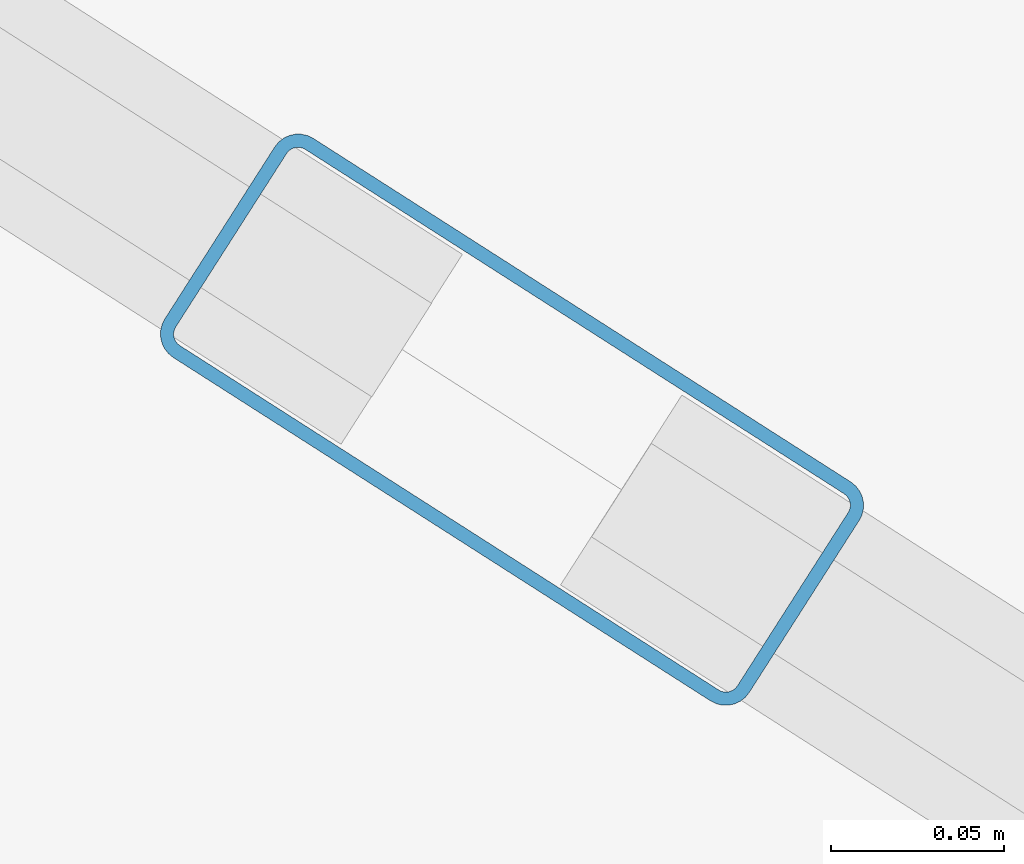
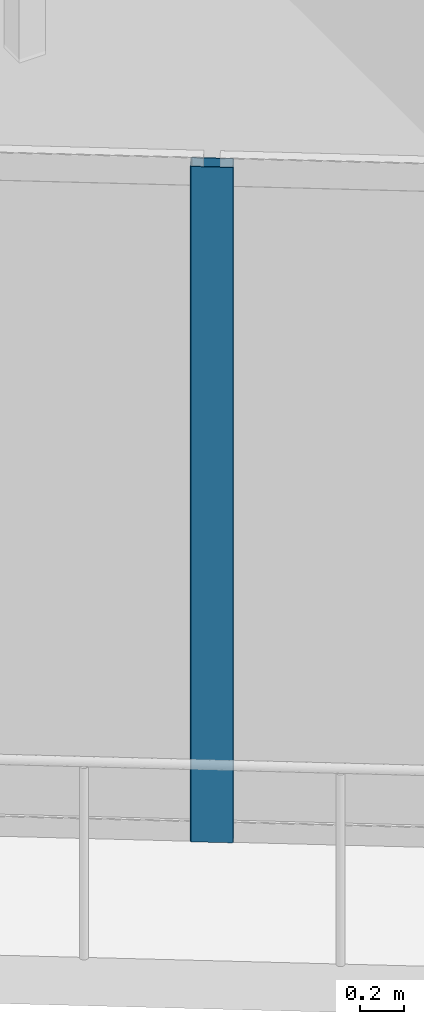
# One storey, part 5 of 40: 1 member, 1 element without a shape of its own.
"""IFC4 building model written with IfcOpenShell, lengths in metres."""

from ifc_helpers import new_model, si_unit, direction, frame, origin, origin_2d, place, context, subcontext, project, spatial, hollow_rectangle, extrude, material, layer, layer_set, material_profile, profile_set, type_object, element, aggregate, save


model = new_model("IFC4")

# Units and contexts
model_context = context("Model", 3, precision=1e-05, world=origin(), true_north=direction((0.0, 1.0)))
body_context = subcontext(model_context, "Body", "Model", "MODEL_VIEW")
ifc_project = project(units=[si_unit("LENGTHUNIT", "METRE"), si_unit("AREAUNIT", "SQUARE_METRE"), si_unit("VOLUMEUNIT", "CUBIC_METRE"), si_unit("PLANEANGLEUNIT", "RADIAN"), si_unit("MASSUNIT", "GRAM", prefix="KILO")], contexts=[model_context])

# Site, building, storey
site_placement = place(None, origin())
site = spatial("IfcSite", under=ifc_project, at=site_placement, CompositionType="ELEMENT")
building_placement = place(site_placement, origin())
building = spatial("IfcBuilding", under=site, at=building_placement, Name="Qorvath Tower", CompositionType="ELEMENT")
storey_placement = place(building_placement, frame((0.0, 0.0, 225.300048828125)))
storey = spatial("IfcBuildingStorey", under=building, at=storey_placement, Name="L52", CompositionType="ELEMENT", Elevation=225.300048828125)

# Curtain wall, member
ifc_material_1 = material(Name="Anodised aluminium and triple low-E glass", Category="aluminium")
ifc_layer = layer(ifc_material_1, 0.179931640625)
ifc_layer_set = layer_set([ifc_layer], Name="CW-SYS-5")
curtain_wall_type = type_object("IfcCurtainWallType", Name="CW-SYS-5", PredefinedType="NOTDEFINED", material=ifc_layer_set)
curtain_wall_placement = place(storey_placement, origin())
curtain_wall = element("IfcCurtainWall", 1, at=curtain_wall_placement, inside=storey, type_object=curtain_wall_type, Name="Curtain Wall CW-5 CW-T-L52-4.1", PredefinedType="NOTDEFINED")
ifc_material_2 = material(Name="Anodised aluminium 6063-T6", Category="aluminium")
ifc_material_profile = material_profile(ifc_material_2, hollow_rectangle(XDim=0.074951171875, YDim=0.199951171875, WallThickness=0.00390625, InnerFilletRadius=0.00390625, OuterFilletRadius=0.008056640625, at=origin_2d()), Name="CWM 200x75")
ifc_profile_set = profile_set([ifc_material_profile], Name="Anodised aluminium 6063-T6")
member_type = type_object("IfcMemberType", Name="CWM-200", PredefinedType="MULLION", material=ifc_profile_set)
member_placement = place(storey_placement, frame((-30.472900390625, -18.2119140625, 0.0), z_axis=(0.0, 0.0, 1.0), x_axis=(0.538529366974, 0.84260674155, 0.0)))
member = element("IfcMember", 2, at=member_placement, type_object=member_type, Name="CW-5 mullion 5", PredefinedType="MULLION", context=body_context, shape_type="SweptSolid", body=[
    extrude(hollow_rectangle(XDim=0.074951171875, YDim=0.199951171875, WallThickness=0.00390625, InnerFilletRadius=0.00390625, OuterFilletRadius=0.008056640625, at=origin_2d()), origin(), (0.0, 0.0, 1.0), 3.780029296875),
])
aggregate(curtain_wall, [member])

save(model, "model.ifc")
